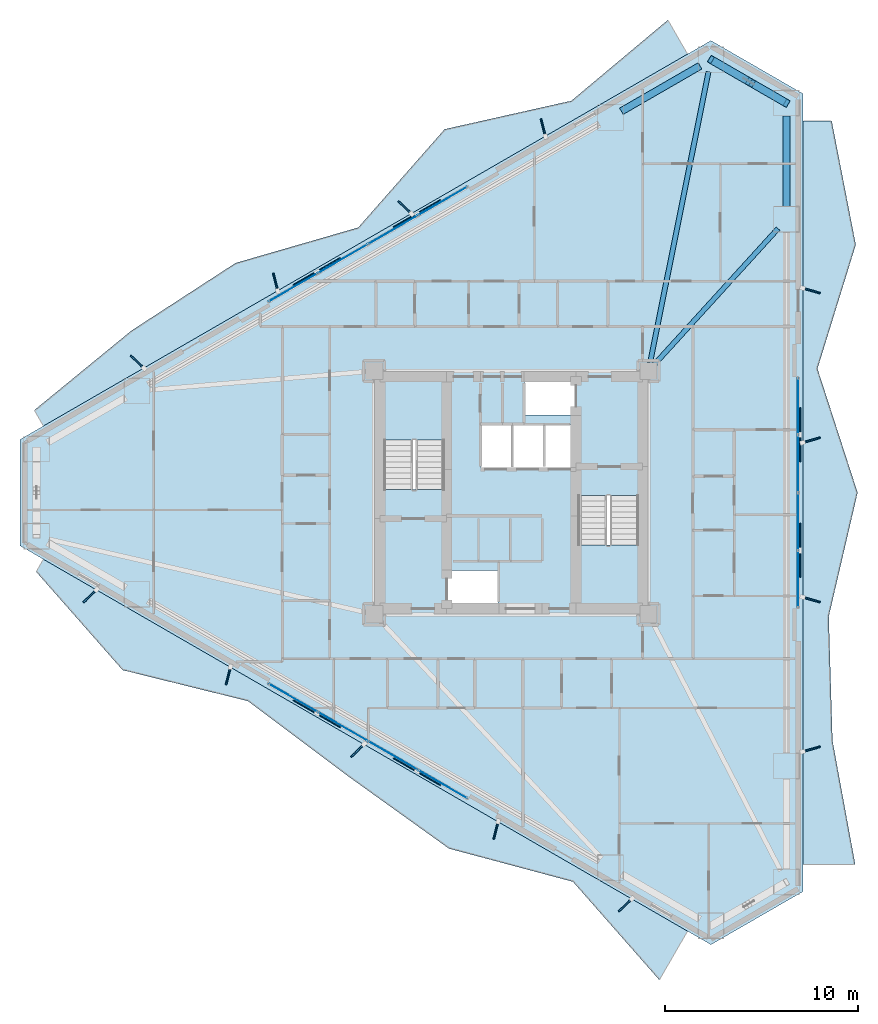
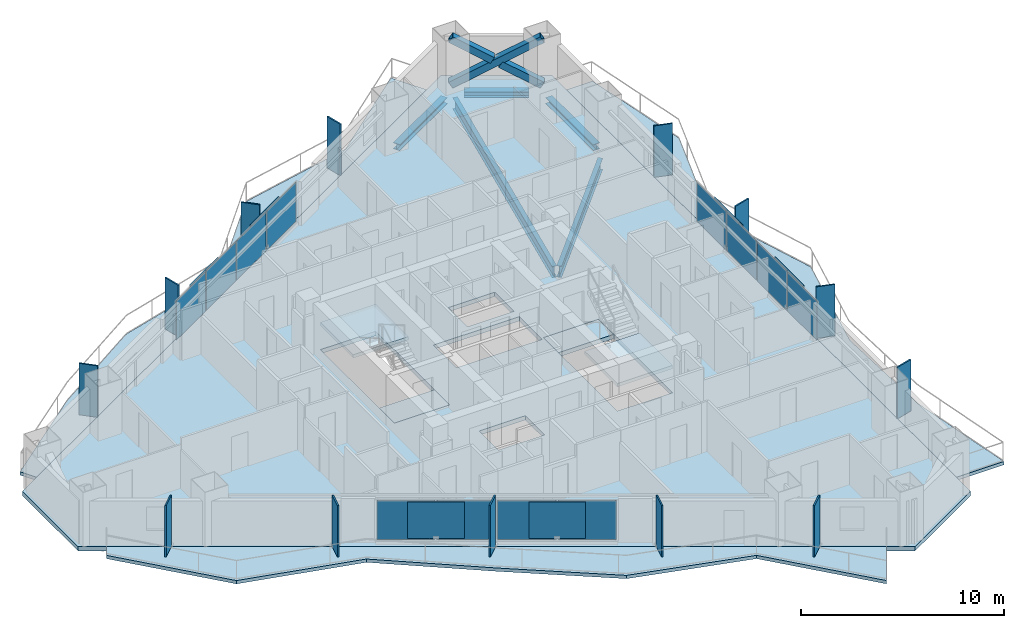
# One storey, part 10 of 19: 31 plates, 8 slabs, 5 beams, 3 members, 5 elements without a shape of their own.
"""IFC4 building model written with IfcOpenShell, lengths in metres."""

from ifc_helpers import new_model, si_unit, direction, frame, origin, origin_2d, place, context, subcontext, project, spatial, polyline, rectangle, hollow_rectangle, i_section, outline, extrude, material, layer, layer_set, material_profile, profile_set, type_object, element, aggregate, save


model = new_model("IFC4")

# Units and contexts
model_context = context("Model", 3, precision=1e-05, world=origin(), true_north=direction((0.0, 1.0)))
body_context = subcontext(model_context, "Body", "Model", "MODEL_VIEW")
ifc_project = project(units=[si_unit("LENGTHUNIT", "METRE"), si_unit("AREAUNIT", "SQUARE_METRE"), si_unit("VOLUMEUNIT", "CUBIC_METRE"), si_unit("PLANEANGLEUNIT", "RADIAN"), si_unit("MASSUNIT", "GRAM", prefix="KILO")], contexts=[model_context])

# Site, building, storey
site_placement = place(None, origin())
site = spatial("IfcSite", under=ifc_project, at=site_placement, CompositionType="ELEMENT")
building_placement = place(site_placement, origin())
building = spatial("IfcBuilding", under=site, at=building_placement, Name="Mersakhor Tower and Convention Hall", CompositionType="ELEMENT")
storey_placement = place(building_placement, frame((0.0, 0.0, 22.5)))
storey = spatial("IfcBuildingStorey", under=building, at=storey_placement, Name="L05", CompositionType="ELEMENT", Elevation=22.5)

# Beams
ifc_material_1 = material(Name="Steel S355", Category="steel")
ifc_material_profile_1 = material_profile(ifc_material_1, i_section(OverallWidth=0.25439453125, OverallDepth=0.6875, WebThickness=0.01318359375, FlangeThickness=0.02099609375, at=origin_2d()), Name="UB 686x254x152")
ifc_profile_set_1 = profile_set([ifc_material_profile_1], Name="Steel S355")
beam_type_1 = type_object("IfcBeamType", Name="BM-PR-686", PredefinedType="BEAM", material=ifc_profile_set_1)
beam_1_placement = place(storey_placement, frame((36.1845703125, 33.4716796875, -0.603759765625), z_axis=(0.196849718138, 0.980433673672, 0.0), x_axis=(-0.980433673672, 0.196849718138, 0.0)))
element("IfcBeam", 1, at=beam_1_placement, inside=storey, type_object=beam_type_1, Name="L05 Primary Floor Girder FG-2", PredefinedType="BEAM", context=body_context, shape_type="SweptSolid", body=[
    extrude(i_section(OverallWidth=0.25439453125, OverallDepth=0.6875, WebThickness=0.01318359375, FlangeThickness=0.02099609375, at=origin_2d()), origin(), (0.0, 0.0, 1.0), 15.359130859375),
])
beam_2_placement = place(storey_placement, frame((36.389404296875, 33.367919921875, -0.603759765625), z_axis=(0.67316322447, 0.739493930483, 0.0), x_axis=(-0.739493930483, 0.67316322447, 0.0)))
element("IfcBeam", 2, at=beam_2_placement, inside=storey, type_object=beam_type_1, Name="L05 Primary Floor Girder FG-3", PredefinedType="BEAM", context=body_context, shape_type="SweptSolid", body=[
    extrude(i_section(OverallWidth=0.25439453125, OverallDepth=0.6875, WebThickness=0.01318359375, FlangeThickness=0.02099609375, at=origin_2d()), origin(), (0.0, 0.0, 1.0), 9.53662109375),
])
ifc_material_2 = material(Name="Steel S355", Category="steel")
ifc_material_profile_2 = material_profile(ifc_material_2, i_section(OverallWidth=0.374755859375, OverallDepth=0.37451171875, WebThickness=0.0166015625, FlangeThickness=0.027099609375, at=origin_2d()), Name="UC 356x368x202")
ifc_profile_set_2 = profile_set([ifc_material_profile_2], Name="Steel S355")
beam_type_2 = type_object("IfcBeamType", Name="BM-SPD-UC356", PredefinedType="SPANDREL", material=ifc_profile_set_2)
beam_3_placement = place(storey_placement, frame((34.700439453125, 46.49560546875, -0.447265625), z_axis=(0.866031574723, 0.499989311469, 0.0), x_axis=(-0.499989311469, 0.866031574723, 0.0)))
element("IfcBeam", 3, at=beam_3_placement, inside=storey, type_object=beam_type_2, Name="L05 Perimeter Spandrel Beam SPB-03", PredefinedType="SPANDREL", context=body_context, shape_type="SweptSolid", body=[
    extrude(i_section(OverallWidth=0.374755859375, OverallDepth=0.37451171875, WebThickness=0.0166015625, FlangeThickness=0.027099609375, at=origin_2d()), origin(), (0.0, 0.0, 1.0), 4.69873046875),
])
beam_4_placement = place(storey_placement, frame((39.904052734375, 48.844970703125, -0.447265625), z_axis=(0.866038607556, -0.4999771297, 0.0), x_axis=(0.4999771297, 0.866038607556, 0.0)))
element("IfcBeam", 4, at=beam_4_placement, inside=storey, type_object=beam_type_2, Name="L05 Perimeter Spandrel Beam SPB-04", PredefinedType="SPANDREL", context=body_context, shape_type="SweptSolid", body=[
    extrude(i_section(OverallWidth=0.374755859375, OverallDepth=0.37451171875, WebThickness=0.0166015625, FlangeThickness=0.027099609375, at=origin_2d()), origin(), (0.0, 0.0, 1.0), 3.208740234375),
])
beam_5_placement = place(storey_placement, frame((43.25, 46.25830078125, -0.447265625), z_axis=(0.0, -1.0, 0.0), x_axis=(1.0, 0.0, 0.0)))
element("IfcBeam", 5, at=beam_5_placement, inside=storey, type_object=beam_type_2, Name="L05 Perimeter Spandrel Beam SPB-05", PredefinedType="SPANDREL", context=body_context, shape_type="SweptSolid", body=[
    extrude(i_section(OverallWidth=0.374755859375, OverallDepth=0.37451171875, WebThickness=0.0166015625, FlangeThickness=0.027099609375, at=origin_2d()), origin(), (0.0, 0.0, 1.0), 4.69873046875),
])

# Members
ifc_material_3 = material(Name="Steel S460", Category="steel")
ifc_material_profile_3 = material_profile(ifc_material_3, hollow_rectangle(XDim=0.39990234375, YDim=0.39990234375, WallThickness=0.02490234375, at=origin_2d()), Name="SHS 400x400x25")
ifc_profile_set_3 = profile_set([ifc_material_profile_3], Name="Steel S460")
member_type = type_object("IfcMemberType", Name="MB-BRC-SHS400", PredefinedType="BRACE", material=ifc_profile_set_3)
member_placement = place(storey_placement, frame((39.3369140625, 49.172607421875, 0.14990234375), z_axis=(0.740507772322, -0.427542982597, 0.518512523632), x_axis=(0.500009315796, 0.86602002524, 0.0)))
element("IfcMember", 6, at=member_placement, inside=storey, type_object=member_type, Name="L05 Chamfer Braced Frame Diagonal CB-1A", PredefinedType="BRACE", context=body_context, shape_type="SweptSolid", body=[
    extrude(hollow_rectangle(XDim=0.39990234375, YDim=0.39990234375, WallThickness=0.02490234375, at=origin_2d()), origin(), (0.0, 0.0, 1.0), 5.284423828125),
])
for number, where, z_axis, x_axis, name in (
    (7, (43.25, 46.913330078125, 0.14990234375), (-0.740505282886, 0.427518653602, 0.518536138413), (-0.499989236795, -0.866031617834, 0.0), "L05 Chamfer Braced Frame Diagonal CB-1B Lower Half"),
    (8, (41.12060546875, 48.142578125, 1.64111328125), (-0.740512106644, 0.427623949895, 0.518439560017), (-0.500078132948, -0.865980289006, 0.0), "L05 Chamfer Braced Frame Diagonal CB-1B Upper Half"),
):
    element("IfcMember", number, at=place(storey_placement, frame(where, z_axis=z_axis, x_axis=x_axis)), inside=storey, type_object=member_type, Name=name, PredefinedType="BRACE", context=body_context, shape_type="SweptSolid", body=[
        extrude(hollow_rectangle(XDim=0.39990234375, YDim=0.39990234375, WallThickness=0.02490234375, at=origin_2d()), origin(), (0.0, 0.0, 1.0), 2.40869140625),
    ])

# Curtain wall, plates
ifc_material_4 = material(Name="Dark solar low-E aluminium curtain wall", Category="aluminium")
ifc_layer_1 = layer(ifc_material_4, 0.159912109375)
ifc_layer_set_1 = layer_set([ifc_layer_1], Name="Dark solar low-E aluminium curtain wall")
curtain_wall_type = type_object("IfcCurtainWallType", Name="CW-SYS-01", PredefinedType="USERDEFINED", material=ifc_layer_set_1)
curtain_wall_1_placement = place(storey_placement, origin())
curtain_wall_1 = element("IfcCurtainWall", 9, at=curtain_wall_1_placement, inside=storey, type_object=curtain_wall_type, Name="L05 Dark-Glass Curtain Wall F1-B2", ObjectType="CURTAIN WALL", PredefinedType="USERDEFINED")
ifc_material_5 = material(Name="Dark solar double glazing", Category="glass")
ifc_layer_2 = layer(ifc_material_5, 0.02392578125)
ifc_layer_set_2 = layer_set([ifc_layer_2], Name="Dark solar double glazing")
plate_type_1 = type_object("IfcPlateType", Name="CWP-GLZ-24", PredefinedType="CURTAIN_PANEL", material=ifc_layer_set_2)
plate_1_placement = place(storey_placement, frame((17.702880859375, 37.375, 0.259765625), z_axis=(0.0, 0.0, 1.0), x_axis=(0.866023412558, 0.50000344889, 0.0)))
plate_1 = element("IfcPlate", 10, at=plate_1_placement, type_object=plate_type_1, Name="CW-01 panel 1.1", PredefinedType="CURTAIN_PANEL", context=body_context, shape_type="SweptSolid", body=[
    extrude(rectangle(XDim=2.880859375, YDim=0.02392578125, at=origin_2d()), origin(), (0.0, 0.0, 1.0), 2.340087890625),
])
plate_2_placement = place(storey_placement, frame((20.27880859375, 38.862060546875, 0.259765625), z_axis=(0.0, 0.0, 1.0), x_axis=(0.866023412558, 0.50000344889, 0.0)))
plate_2 = element("IfcPlate", 11, at=plate_2_placement, type_object=plate_type_1, Name="CW-01 panel 2.1", PredefinedType="CURTAIN_PANEL", context=body_context, shape_type="SweptSolid", body=[
    extrude(rectangle(XDim=2.918212890625, YDim=0.02392578125, at=origin_2d()), origin(), (0.0, 0.0, 1.0), 2.340087890625),
])
plate_3_placement = place(storey_placement, frame((22.87109375, 40.35888671875, 0.259765625), z_axis=(0.0, 0.0, 1.0), x_axis=(0.866023412558, 0.50000344889, 0.0)))
plate_3 = element("IfcPlate", 12, at=plate_3_placement, type_object=plate_type_1, Name="CW-01 panel 3.1", PredefinedType="CURTAIN_PANEL", context=body_context, shape_type="SweptSolid", body=[
    extrude(rectangle(XDim=2.918212890625, YDim=0.02392578125, at=origin_2d()), origin(), (0.0, 0.0, 1.0), 2.340087890625),
])
plate_4_placement = place(storey_placement, frame((25.447021484375, 41.84619140625, 0.259765625), z_axis=(0.0, 0.0, 1.0), x_axis=(0.866023412558, 0.50000344889, 0.0)))
plate_4 = element("IfcPlate", 13, at=plate_4_placement, type_object=plate_type_1, Name="CW-01 panel 4.1", PredefinedType="CURTAIN_PANEL", context=body_context, shape_type="SweptSolid", body=[
    extrude(rectangle(XDim=2.880859375, YDim=0.02392578125, at=origin_2d()), origin(), (0.0, 0.0, 1.0), 2.340087890625),
])
aggregate(curtain_wall_1, [plate_1, plate_2, plate_3, plate_4])

curtain_wall_2_placement = place(storey_placement, origin())
curtain_wall_2 = element("IfcCurtainWall", 14, at=curtain_wall_2_placement, inside=storey, type_object=curtain_wall_type, Name="L05 Dark-Glass Curtain Wall F2-B2", ObjectType="CURTAIN WALL", PredefinedType="USERDEFINED")
plate_5_placement = place(storey_placement, frame((43.85009765625, 31.22119140625, 0.259765625), z_axis=(0.0, 0.0, 1.0), x_axis=(0.0, -1.0, 0.0)))
plate_5 = element("IfcPlate", 15, at=plate_5_placement, type_object=plate_type_1, Name="CW-01 panel 1.1", PredefinedType="CURTAIN_PANEL", context=body_context, shape_type="SweptSolid", body=[
    extrude(rectangle(XDim=2.880859375, YDim=0.02392578125, at=origin_2d()), origin(), (0.0, 0.0, 1.0), 2.340087890625),
])
plate_6_placement = place(storey_placement, frame((43.85009765625, 28.24658203125, 0.259765625), z_axis=(0.0, 0.0, 1.0), x_axis=(0.0, -1.0, 0.0)))
plate_6 = element("IfcPlate", 16, at=plate_6_placement, type_object=plate_type_1, Name="CW-01 panel 2.1", PredefinedType="CURTAIN_PANEL", context=body_context, shape_type="SweptSolid", body=[
    extrude(rectangle(XDim=2.918212890625, YDim=0.02392578125, at=origin_2d()), origin(), (0.0, 0.0, 1.0), 2.340087890625),
])
plate_7_placement = place(storey_placement, frame((43.85009765625, 25.25341796875, 0.259765625), z_axis=(0.0, 0.0, 1.0), x_axis=(0.0, -1.0, 0.0)))
plate_7 = element("IfcPlate", 17, at=plate_7_placement, type_object=plate_type_1, Name="CW-01 panel 3.1", PredefinedType="CURTAIN_PANEL", context=body_context, shape_type="SweptSolid", body=[
    extrude(rectangle(XDim=2.918212890625, YDim=0.02392578125, at=origin_2d()), origin(), (0.0, 0.0, 1.0), 2.340087890625),
])
plate_8_placement = place(storey_placement, frame((43.85009765625, 22.27880859375, 0.259765625), z_axis=(0.0, 0.0, 1.0), x_axis=(0.0, -1.0, 0.0)))
plate_8 = element("IfcPlate", 18, at=plate_8_placement, type_object=plate_type_1, Name="CW-01 panel 4.1", PredefinedType="CURTAIN_PANEL", context=body_context, shape_type="SweptSolid", body=[
    extrude(rectangle(XDim=2.880859375, YDim=0.02392578125, at=origin_2d()), origin(), (0.0, 0.0, 1.0), 2.340087890625),
])
aggregate(curtain_wall_2, [plate_5, plate_6, plate_7, plate_8])

curtain_wall_3_placement = place(storey_placement, origin())
curtain_wall_3 = element("IfcCurtainWall", 19, at=curtain_wall_3_placement, inside=storey, type_object=curtain_wall_type, Name="L05 Dark-Glass Curtain Wall F3-B2", ObjectType="CURTAIN WALL", PredefinedType="USERDEFINED")
plate_9_placement = place(storey_placement, frame((25.447021484375, 11.65380859375, 0.259765625), z_axis=(0.0, 0.0, 1.0), x_axis=(-0.866023412558, 0.50000344889, 0.0)))
plate_9 = element("IfcPlate", 20, at=plate_9_placement, type_object=plate_type_1, Name="CW-01 panel 1.1", PredefinedType="CURTAIN_PANEL", context=body_context, shape_type="SweptSolid", body=[
    extrude(rectangle(XDim=2.880859375, YDim=0.02392578125, at=origin_2d()), origin(), (0.0, 0.0, 1.0), 2.340087890625),
])
plate_10_placement = place(storey_placement, frame((22.87109375, 13.14111328125, 0.259765625), z_axis=(0.0, 0.0, 1.0), x_axis=(-0.866023412558, 0.50000344889, 0.0)))
plate_10 = element("IfcPlate", 21, at=plate_10_placement, type_object=plate_type_1, Name="CW-01 panel 2.1", PredefinedType="CURTAIN_PANEL", context=body_context, shape_type="SweptSolid", body=[
    extrude(rectangle(XDim=2.918212890625, YDim=0.02392578125, at=origin_2d()), origin(), (0.0, 0.0, 1.0), 2.340087890625),
])
plate_11_placement = place(storey_placement, frame((20.27880859375, 14.637939453125, 0.259765625), z_axis=(0.0, 0.0, 1.0), x_axis=(-0.866023412558, 0.50000344889, 0.0)))
plate_11 = element("IfcPlate", 22, at=plate_11_placement, type_object=plate_type_1, Name="CW-01 panel 3.1", PredefinedType="CURTAIN_PANEL", context=body_context, shape_type="SweptSolid", body=[
    extrude(rectangle(XDim=2.918212890625, YDim=0.02392578125, at=origin_2d()), origin(), (0.0, 0.0, 1.0), 2.340087890625),
])
plate_12_placement = place(storey_placement, frame((17.702880859375, 16.125, 0.259765625), z_axis=(0.0, 0.0, 1.0), x_axis=(-0.866023412558, 0.50000344889, 0.0)))
plate_12 = element("IfcPlate", 23, at=plate_12_placement, type_object=plate_type_1, Name="CW-01 panel 4.1", PredefinedType="CURTAIN_PANEL", context=body_context, shape_type="SweptSolid", body=[
    extrude(rectangle(XDim=2.880859375, YDim=0.02392578125, at=origin_2d()), origin(), (0.0, 0.0, 1.0), 2.340087890625),
])
aggregate(curtain_wall_3, [plate_9, plate_10, plate_11, plate_12])

# Plates
ifc_material_6 = material(Name="Ceramic-clad aluminium Zone 1 cobalt-slate", Category="masonry")
ifc_material_7 = material(Name="Ceramic-clad aluminium Zone 1 cobalt-slate", Category="masonry")
ifc_layer_3 = layer(ifc_material_7, 0.080078125)
ifc_layer_set_3 = layer_set([ifc_layer_3], Name="Ceramic-clad aluminium Zone 1 cobalt-slate")
plate_type_2 = type_object("IfcPlateType", Name="PL-FIN-80", PredefinedType="USERDEFINED", material=ifc_layer_set_3)
for number, where, z_axis, x_axis, name in (
    (24, (9.639892578125, 33.5126953125, 0.0), (0.0, 0.0, 1.0), (-0.719339800339, 0.694658370459, 0.0), "L05 Zone 1 Coloured Brise-Soleil Fin F1-1"),
    (25, (16.794921875, 37.6435546875, 0.0), (0.0, 0.0, 1.0), (-0.2419218956, 0.970295726276, 0.0), "L05 Zone 1 Coloured Brise-Soleil Fin F1-2"),
    (26, (23.496337890625, 41.5126953125, 0.0), (0.0, 0.0, 1.0), (-0.719339800339, 0.694658370459, 0.0), "L05 Zone 1 Coloured Brise-Soleil Fin F1-3"),
    (27, (30.6513671875, 45.6435546875, 0.0), (0.0, 0.0, 1.0), (-0.2419218956, 0.970295726276, 0.0), "L05 Zone 1 Coloured Brise-Soleil Fin F1-4"),
    (28, (44.53662109375, 37.206298828125, 0.0), (0.0, 0.0, 1.0), (0.961261695938, -0.275637355817, 0.0), "L05 Zone 1 Coloured Brise-Soleil Fin F2-1"),
    (29, (44.53662109375, 29.46826171875, 0.0), (0.0, 0.0, 1.0), (0.961261695938, 0.275637355817, 0.0), "L05 Zone 1 Coloured Brise-Soleil Fin F2-2"),
    (30, (44.53662109375, 21.206298828125, 0.0), (0.0, 0.0, 1.0), (0.961261695938, -0.275637355817, 0.0), "L05 Zone 1 Coloured Brise-Soleil Fin F2-3"),
    (31, (44.53662109375, 13.46826171875, 0.0), (0.0, 0.0, 1.0), (0.961261695938, 0.275637355817, 0.0), "L05 Zone 1 Coloured Brise-Soleil Fin F2-4"),
    (32, (34.906005859375, 5.39990234375, 0.0), (0.0, 0.0, 1.0), (-0.719339800339, -0.694658370459, 0.0), "L05 Zone 1 Coloured Brise-Soleil Fin F3-1"),
    (33, (28.20458984375, 9.26904296875, 0.0), (0.0, 0.0, 1.0), (-0.2419218956, -0.970295726276, 0.0), "L05 Zone 1 Coloured Brise-Soleil Fin F3-2"),
    (34, (21.049560546875, 13.39990234375, 0.0), (0.0, 0.0, 1.0), (-0.719339800339, -0.694658370459, 0.0), "L05 Zone 1 Coloured Brise-Soleil Fin F3-3"),
    (35, (14.34814453125, 17.26904296875, 0.0), (0.0, 0.0, 1.0), (-0.2419218956, -0.970295726276, 0.0), "L05 Zone 1 Coloured Brise-Soleil Fin F3-4"),
    (36, (7.193115234375, 21.39990234375, 0.0), (0.0, 0.0, 1.0), (-0.719339800339, -0.694658370459, 0.0), "L05 Zone 1 Coloured Brise-Soleil Fin F3-5"),
):
    element("IfcPlate", number, at=place(storey_placement, frame(where, z_axis=z_axis, x_axis=x_axis)), inside=storey, type_object=plate_type_2, material=ifc_material_6, Name=name, ObjectType="FIN", PredefinedType="USERDEFINED", context=body_context, shape_type="SweptSolid", body=[
        extrude(rectangle(XDim=0.949951171875, YDim=0.080078125, at=origin_2d()), origin(), (0.0, 0.0, 1.0), 3.10009765625),
    ])
ifc_material_8 = material(Name="Perforated ceramic cobogo solar screen", Category="aluminium")
ifc_layer_4 = layer(ifc_material_8, 0.055908203125)
ifc_layer_set_4 = layer_set([ifc_layer_4], Name="Perforated ceramic cobogo solar screen")
plate_type_3 = type_object("IfcPlateType", Name="PL-SCR-56", PredefinedType="USERDEFINED", material=ifc_layer_set_4)
for number, where, z_axis, x_axis, name in (
    (37, (18.933837890625, 38.19873046875, 0.39990234375), (0.0, 0.0, 1.0), (0.866025403784, 0.5, 0.0), "L05 Perforated Ceramic Solar Screen F1-1"),
    (38, (24.118408203125, 41.19189453125, 0.39990234375), (0.0, 0.0, 1.0), (0.866025403784, 0.5, 0.0), "L05 Perforated Ceramic Solar Screen F1-2"),
    (39, (43.947998046875, 29.743408203125, 0.39990234375), (0.0, 0.0, 1.0), (0.0, -1.0, 0.0), "L05 Perforated Ceramic Solar Screen F2-1"),
    (40, (43.947998046875, 23.756591796875, 0.39990234375), (0.0, 0.0, 1.0), (0.0, -1.0, 0.0), "L05 Perforated Ceramic Solar Screen F2-2"),
    (41, (24.1181640625, 12.30810546875, 0.39990234375), (0.0, 0.0, 1.0), (-0.866025403784, 0.5, 0.0), "L05 Perforated Ceramic Solar Screen F3-1"),
    (42, (18.93359375, 15.30126953125, 0.39990234375), (0.0, 0.0, 1.0), (-0.866025403784, 0.5, 0.0), "L05 Perforated Ceramic Solar Screen F3-2"),
):
    element("IfcPlate", number, at=place(storey_placement, frame(where, z_axis=z_axis, x_axis=x_axis)), inside=storey, type_object=plate_type_3, Name=name, ObjectType="SCREEN", PredefinedType="USERDEFINED", context=body_context, shape_type="SweptSolid", body=[
        extrude(rectangle(XDim=2.800048828125, YDim=0.055908203125, at=origin_2d()), origin(), (0.0, 0.0, 1.0), 2.2099609375),
    ])

# Slabs
ifc_material_9 = material(Name="Concrete C45/55", Category="concrete")
ifc_layer_5 = layer(ifc_material_9, 0.199951171875)
ifc_layer_set_5 = layer_set([ifc_layer_5], Name="Concrete C45/55")
slab_type_1 = type_object("IfcSlabType", Name="SL-BAL-200", PredefinedType="FLOOR", material=ifc_layer_set_5)
slab_1_placement = place(storey_placement, frame((0.0, 0.0, -0.199951171875)))
element("IfcSlab", 43, at=slab_1_placement, inside=storey, type_object=slab_type_1, Name="L05 Sinusoidal Balcony Slab Face 1", PredefinedType="FLOOR", context=body_context, shape_type="SweptSolid", body=[
    extrude(outline(polyline([(4.775390625, 30.199951171875), (38.12451171875, 49.4541015625), (37.1044921875, 51.220458984375), (32.10888671875, 47.037109375), (25.548095703125, 45.564697265625), (21.074951171875, 40.4765625), (14.724853515625, 38.639404296875), (9.334716796875, 35.13916015625), (4.30322265625, 31.017822265625), (4.775390625, 30.199951171875)])), origin(), (0.0, 0.0, 1.0), 0.199951171875),
])
slab_2_placement = place(storey_placement, frame((0.0, 0.0, -0.199951171875)))
element("IfcSlab", 44, at=slab_2_placement, inside=storey, type_object=slab_type_1, Name="L05 Sinusoidal Balcony Slab Face 2", PredefinedType="FLOOR", context=body_context, shape_type="SweptSolid", body=[
    extrude(outline(polyline([(44.10009765625, 46.00390625), (44.10009765625, 7.49609375), (46.80712890625, 7.49609375), (45.62841796875, 13.9140625), (45.4345703125, 20.33203125), (46.928466796875, 26.75), (44.85009765625, 33.16796875), (46.8349609375, 39.5859375), (45.5869140625, 46.00390625), (44.10009765625, 46.00390625)])), origin(), (0.0, 0.0, 1.0), 0.199951171875),
])
slab_3_placement = place(storey_placement, frame((0.0, 0.0, -0.199951171875)))
element("IfcSlab", 45, at=slab_3_placement, inside=storey, type_object=slab_type_1, Name="L05 Sinusoidal Balcony Slab Face 3", PredefinedType="FLOOR", context=body_context, shape_type="SweptSolid", body=[
    extrude(outline(polyline([(38.12451171875, 4.0458984375), (4.775390625, 23.300048828125), (4.400390625, 22.650390625), (8.873779296875, 17.562255859375), (15.359130859375, 15.959228515625), (20.53125, 12.08154296875), (25.771484375, 8.322021484375), (32.19140625, 6.60546875), (36.66455078125, 1.51708984375), (38.12451171875, 4.0458984375)])), origin(), (0.0, 0.0, 1.0), 0.199951171875),
])
ifc_material_10 = material(Name="Concrete C45/55", Category="concrete")
ifc_layer_6 = layer(ifc_material_10, 0.260009765625)
ifc_layer_set_6 = layer_set([ifc_layer_6], Name="Concrete C45/55")
slab_type_2 = type_object("IfcSlabType", Name="SL-FLR-260", PredefinedType="FLOOR", material=ifc_layer_set_6)
slab_4_placement = place(storey_placement, frame((0.0, 0.0, -0.260009765625)))
element("IfcSlab", 46, at=slab_4_placement, inside=storey, type_object=slab_type_2, Name="L05 ST-1 Structural Stair Floor Landing", PredefinedType="LANDING", context=body_context, shape_type="SweptSolid", body=[
    extrude(outline(polyline([(25.550048828125, 25.39990234375), (25.550048828125, 26.89990234375), (22.39990234375, 26.89990234375), (22.39990234375, 25.39990234375), (25.550048828125, 25.39990234375)])), origin(), (0.0, 0.0, 1.0), 0.260009765625),
])
slab_5_placement = place(storey_placement, frame((0.0, 0.0, -0.260009765625)))
element("IfcSlab", 47, at=slab_5_placement, inside=storey, type_object=slab_type_2, Name="L05 ST-2 Structural Stair Floor Landing", PredefinedType="LANDING", context=body_context, shape_type="SweptSolid", body=[
    extrude(outline(polyline([(32.449951171875, 28.10009765625), (32.449951171875, 26.60009765625), (35.60009765625, 26.60009765625), (35.60009765625, 28.10009765625), (32.449951171875, 28.10009765625)])), origin(), (0.0, 0.0, 1.0), 0.260009765625),
])
slab_6_placement = place(storey_placement, frame((0.0, 0.0, -0.260009765625)))
element("IfcSlab", 48, at=slab_6_placement, inside=storey, type_object=slab_type_2, Name="Tower L05 Structural Floor Slab", PredefinedType="FLOOR", context=body_context, shape_type="SweptSolid", body=[
    extrude(outline(polyline([(3.56298828125, 29.5), (39.3369140625, 50.154052734375), (44.10009765625, 47.404052734375), (44.10009765625, 6.095947265625), (39.3369140625, 3.345947265625), (3.56298828125, 24.0), (3.56298828125, 29.5)]), holes=[polyline([(25.550048828125, 25.39990234375), (25.550048828125, 32.699951171875), (22.39990234375, 32.699951171875), (22.39990234375, 25.39990234375), (25.550048828125, 25.39990234375)]), polyline([(32.449951171875, 28.10009765625), (32.449951171875, 20.800048828125), (35.60009765625, 20.800048828125), (35.60009765625, 28.10009765625), (32.449951171875, 28.10009765625)]), polyline([(25.679931640625, 20.820068359375), (25.679931640625, 22.719970703125), (28.320068359375, 22.719970703125), (28.320068359375, 20.820068359375), (25.679931640625, 20.820068359375)]), polyline([(29.679931640625, 30.780029296875), (29.679931640625, 32.679931640625), (32.320068359375, 32.679931640625), (32.320068359375, 30.780029296875), (29.679931640625, 30.780029296875)]), polyline([(27.429931640625, 28.0), (27.429931640625, 30.25), (32.320068359375, 30.25), (32.320068359375, 28.0), (27.429931640625, 28.0)])]), origin(), (0.0, 0.0, 1.0), 0.260009765625),
])

# Stair, slab
ifc_material_11 = material(Name="Concrete C45/55", Category="concrete")
stair_type = type_object("IfcStairType", Name="ST-TWR-20R", PredefinedType="HALF_TURN_STAIR", material=ifc_material_11)
stair_1_placement = place(storey_placement, origin())
stair_1 = element("IfcStair", 49, at=stair_1_placement, inside=storey, type_object=stair_type, Name="L05 Tower Protected Exit Stair ST-1", PredefinedType="HALF_TURN_STAIR")
ifc_material_12 = material(Name="Concrete C45/55", Category="concrete")
ifc_layer_7 = layer(ifc_material_12, 0.199951171875)
ifc_layer_set_7 = layer_set([ifc_layer_7], Name="Concrete C45/55")
slab_type_3 = type_object("IfcSlabType", Name="SL-LAND-200", PredefinedType="LANDING", material=ifc_layer_set_7)
slab_7_placement = place(storey_placement, frame((0.0, 0.0, 1.449951171875)))
slab_7 = element("IfcSlab", 50, at=slab_7_placement, type_object=slab_type_3, Name="ST-1 landing 1", PredefinedType="LANDING", context=body_context, shape_type="SweptSolid", body=[
    extrude(outline(polyline([(25.550048828125, 29.465087890625), (25.550048828125, 32.699951171875), (22.39990234375, 32.699951171875), (22.39990234375, 29.465087890625), (25.550048828125, 29.465087890625)])), origin(), (0.0, 0.0, 1.0), 0.199951171875),
])
aggregate(stair_1, [slab_7])

stair_2_placement = place(storey_placement, origin())
stair_2 = element("IfcStair", 51, at=stair_2_placement, inside=storey, type_object=stair_type, Name="L05 Tower Protected Exit Stair ST-2", PredefinedType="HALF_TURN_STAIR")
slab_8_placement = place(storey_placement, frame((0.0, 0.0, 1.449951171875)))
slab_8 = element("IfcSlab", 52, at=slab_8_placement, type_object=slab_type_3, Name="ST-2 landing 1", PredefinedType="LANDING", context=body_context, shape_type="SweptSolid", body=[
    extrude(outline(polyline([(32.449951171875, 24.034912109375), (32.449951171875, 20.800048828125), (35.60009765625, 20.800048828125), (35.60009765625, 24.034912109375), (32.449951171875, 24.034912109375)])), origin(), (0.0, 0.0, 1.0), 0.199951171875),
])
aggregate(stair_2, [slab_8])

save(model, "model.ifc")
